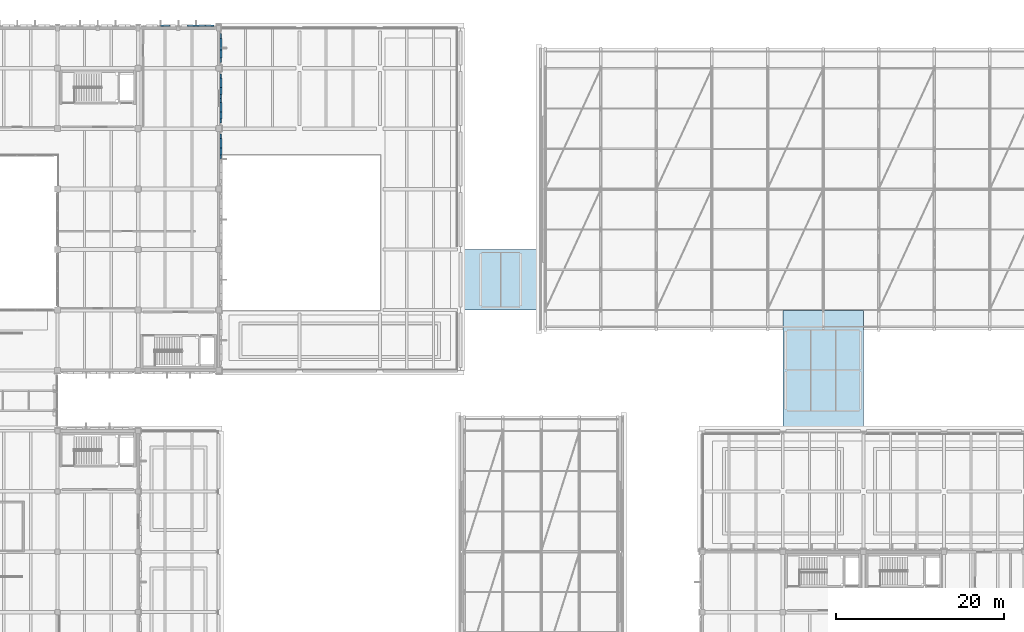
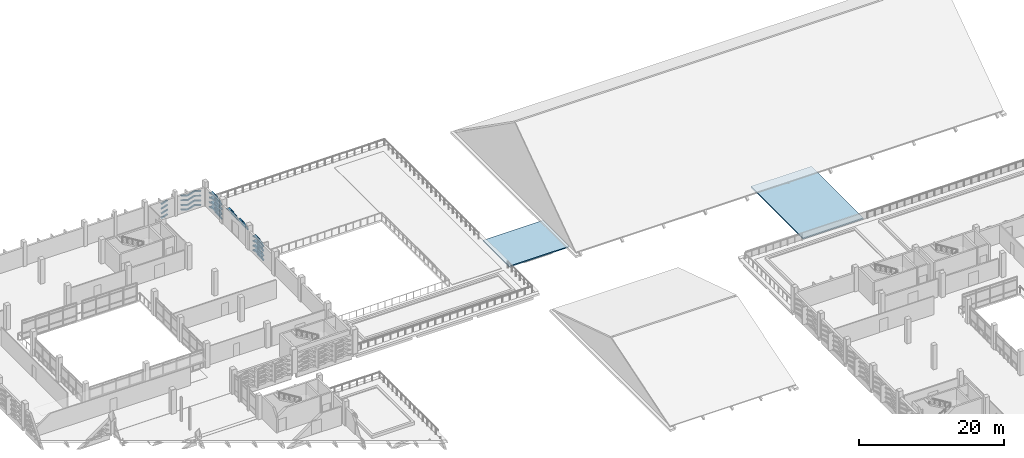
# One storey, part 102 of 134: 56 plates, 2 slabs.
"""IFC4 building model written with IfcOpenShell, lengths in metres."""

from ifc_helpers import new_model, si_unit, direction, frame, origin, origin_2d, place, context, subcontext, project, spatial, polyline, rectangle, hollow_rectangle, outline, extrude, material, layer, layer_set, material_profile, profile_set, type_object, element, save


model = new_model("IFC4")

# Units and contexts
model_context = context("Model", 3, precision=1e-05, world=origin(), true_north=direction((0.0, 1.0)))
body_context = subcontext(model_context, "Body", "Model", "MODEL_VIEW")
ifc_project = project(units=[si_unit("LENGTHUNIT", "METRE"), si_unit("AREAUNIT", "SQUARE_METRE"), si_unit("VOLUMEUNIT", "CUBIC_METRE"), si_unit("PLANEANGLEUNIT", "RADIAN"), si_unit("MASSUNIT", "GRAM", prefix="KILO")], contexts=[model_context])

# Site, building, storey
site_placement = place(None, origin())
site = spatial("IfcSite", under=ifc_project, at=site_placement, CompositionType="ELEMENT")
building_placement = place(site_placement, origin())
building = spatial("IfcBuilding", under=site, at=building_placement, Name="Asteropetra Specialist Clinic", CompositionType="ELEMENT")
storey_placement = place(building_placement, frame((0.0, 0.0, 8.5)))
storey = spatial("IfcBuildingStorey", under=building, at=storey_placement, Name="L02", CompositionType="ELEMENT", Elevation=8.5)

# Plates
ifc_material_1 = material(Name="Chevron emerald aluminium 6063-T6", Category="aluminium")
ifc_material_profile = material_profile(ifc_material_1, hollow_rectangle(XDim=0.199951171875, YDim=0.199951171875, WallThickness=0.010009765625, InnerFilletRadius=0.008056640625, OuterFilletRadius=0.01611328125, at=origin_2d()), Name="SHS 200x200x10.0")
ifc_profile_set = profile_set([ifc_material_profile], Name="Chevron emerald aluminium 6063-T6")
plate_type_1 = type_object("IfcPlateType", Name="CHV-RIB-200", PredefinedType="SHEET", material=ifc_profile_set)
plate_1_placement = place(storey_placement, frame((47.409912109375, 110.64208984375, 0.050048828125), z_axis=(-0.952077507958, 0.0, 0.305856860052), x_axis=(0.0, -1.0, 0.0)))
element("IfcPlate", 1, at=plate_1_placement, inside=storey, type_object=plate_type_1, Name="Chevron Facade Screen Fin CVR-1003", PredefinedType="SHEET", context=body_context, shape_type="SweptSolid", body=[
    extrude(hollow_rectangle(XDim=0.199951171875, YDim=0.199951171875, WallThickness=0.010009765625, InnerFilletRadius=0.008056640625, OuterFilletRadius=0.01611328125, at=origin_2d()), origin(), (0.0, 0.0, 1.0), 1.089599609375),
])
plate_2_placement = place(storey_placement, frame((46.37255859375, 110.64208984375, 0.38330078125), z_axis=(-0.952098462736, 0.0, -0.305791623914), x_axis=(0.0, -1.0, 0.0)))
element("IfcPlate", 2, at=plate_2_placement, inside=storey, type_object=plate_type_1, Name="Chevron Facade Screen Fin CVR-1004", PredefinedType="SHEET", context=body_context, shape_type="SweptSolid", body=[
    extrude(hollow_rectangle(XDim=0.199951171875, YDim=0.199951171875, WallThickness=0.010009765625, InnerFilletRadius=0.008056640625, OuterFilletRadius=0.01611328125, at=origin_2d()), origin(), (0.0, 0.0, 1.0), 1.08984375),
])
plate_3_placement = place(storey_placement, frame((47.409912109375, 110.64208984375, 0.820068359375), z_axis=(-0.952077507958, 0.0, 0.305856860052), x_axis=(0.0, -1.0, 0.0)))
element("IfcPlate", 3, at=plate_3_placement, inside=storey, type_object=plate_type_1, Name="Chevron Facade Screen Fin CVR-1005", PredefinedType="SHEET", context=body_context, shape_type="SweptSolid", body=[
    extrude(hollow_rectangle(XDim=0.199951171875, YDim=0.199951171875, WallThickness=0.010009765625, InnerFilletRadius=0.008056640625, OuterFilletRadius=0.01611328125, at=origin_2d()), origin(), (0.0, 0.0, 1.0), 1.089599609375),
])
plate_4_placement = place(storey_placement, frame((46.37255859375, 110.64208984375, 1.1533203125), z_axis=(-0.952098462736, 0.0, -0.305791623914), x_axis=(0.0, -1.0, 0.0)))
element("IfcPlate", 4, at=plate_4_placement, inside=storey, type_object=plate_type_1, Name="Chevron Facade Screen Fin CVR-1006", PredefinedType="SHEET", context=body_context, shape_type="SweptSolid", body=[
    extrude(hollow_rectangle(XDim=0.199951171875, YDim=0.199951171875, WallThickness=0.010009765625, InnerFilletRadius=0.008056640625, OuterFilletRadius=0.01611328125, at=origin_2d()), origin(), (0.0, 0.0, 1.0), 1.08984375),
])
plate_5_placement = place(storey_placement, frame((47.409912109375, 110.64208984375, 1.6201171875), z_axis=(-0.952077507958, 0.0, 0.305856860052), x_axis=(0.0, -1.0, 0.0)))
element("IfcPlate", 5, at=plate_5_placement, inside=storey, type_object=plate_type_1, Name="Chevron Facade Screen Fin CVR-1007", PredefinedType="SHEET", context=body_context, shape_type="SweptSolid", body=[
    extrude(hollow_rectangle(XDim=0.199951171875, YDim=0.199951171875, WallThickness=0.010009765625, InnerFilletRadius=0.008056640625, OuterFilletRadius=0.01611328125, at=origin_2d()), origin(), (0.0, 0.0, 1.0), 1.089599609375),
])
plate_6_placement = place(storey_placement, frame((46.37255859375, 110.64208984375, 1.953369140625), z_axis=(-0.952098462736, 0.0, -0.305791623914), x_axis=(0.0, -1.0, 0.0)))
element("IfcPlate", 6, at=plate_6_placement, inside=storey, type_object=plate_type_1, Name="Chevron Facade Screen Fin CVR-1008", PredefinedType="SHEET", context=body_context, shape_type="SweptSolid", body=[
    extrude(hollow_rectangle(XDim=0.199951171875, YDim=0.199951171875, WallThickness=0.010009765625, InnerFilletRadius=0.008056640625, OuterFilletRadius=0.01611328125, at=origin_2d()), origin(), (0.0, 0.0, 1.0), 1.08984375),
])
plate_7_placement = place(storey_placement, frame((47.409912109375, 110.64208984375, 2.39990234375), z_axis=(-0.952012241431, 0.0, 0.306059948646), x_axis=(0.0, -1.0, 0.0)))
element("IfcPlate", 7, at=plate_7_placement, inside=storey, type_object=plate_type_1, Name="Chevron Facade Screen Fin CVR-1009", PredefinedType="SHEET", context=body_context, shape_type="SweptSolid", body=[
    extrude(hollow_rectangle(XDim=0.199951171875, YDim=0.199951171875, WallThickness=0.010009765625, InnerFilletRadius=0.008056640625, OuterFilletRadius=0.01611328125, at=origin_2d()), origin(), (0.0, 0.0, 1.0), 1.089599609375),
])
plate_8_placement = place(storey_placement, frame((46.37255859375, 110.64208984375, 2.7333984375), z_axis=(-0.952033222609, 0.0, -0.305994678137), x_axis=(0.0, -1.0, 0.0)))
element("IfcPlate", 8, at=plate_8_placement, inside=storey, type_object=plate_type_1, Name="Chevron Facade Screen Fin CVR-1010", PredefinedType="SHEET", context=body_context, shape_type="SweptSolid", body=[
    extrude(hollow_rectangle(XDim=0.199951171875, YDim=0.199951171875, WallThickness=0.010009765625, InnerFilletRadius=0.008056640625, OuterFilletRadius=0.01611328125, at=origin_2d()), origin(), (0.0, 0.0, 1.0), 1.08984375),
])
for number, where, z_axis, x_axis, name in (
    (9, (45.294921875, 110.64208984375, 0.050048828125), (-0.952077507958, 0.0, 0.305856860052), (0.0, -1.0, 0.0), "Chevron Facade Screen Fin CVR-1011"),
    (10, (45.294921875, 110.64208984375, 0.820068359375), (-0.952077507958, 0.0, 0.305856860052), (0.0, -1.0, 0.0), "Chevron Facade Screen Fin CVR-1012"),
    (11, (45.294921875, 110.64208984375, 1.6201171875), (-0.952077507958, 0.0, 0.305856860052), (0.0, -1.0, 0.0), "Chevron Facade Screen Fin CVR-1013"),
    (12, (45.294921875, 110.64208984375, 2.39990234375), (-0.952012241431, 0.0, 0.306059948646), (0.0, -1.0, 0.0), "Chevron Facade Screen Fin CVR-1014"),
):
    element("IfcPlate", number, at=place(storey_placement, frame(where, z_axis=z_axis, x_axis=x_axis)), inside=storey, type_object=plate_type_1, Name=name, PredefinedType="SHEET", context=body_context, shape_type="SweptSolid", body=[
        extrude(hollow_rectangle(XDim=0.199951171875, YDim=0.199951171875, WallThickness=0.010009765625, InnerFilletRadius=0.008056640625, OuterFilletRadius=0.01611328125, at=origin_2d()), origin(), (0.0, 0.0, 1.0), 1.089599609375),
    ])
for number, where, z_axis, x_axis, name in (
    (13, (42.142578125, 110.64208984375, 0.38330078125), (-0.952098462736, 0.0, -0.305791623914), (0.0, -1.0, 0.0), "Chevron Facade Screen Fin CVR-1015"),
    (14, (42.142578125, 110.64208984375, 1.1533203125), (-0.952098462736, 0.0, -0.305791623914), (0.0, -1.0, 0.0), "Chevron Facade Screen Fin CVR-1016"),
    (15, (42.142578125, 110.64208984375, 1.953369140625), (-0.952098462736, 0.0, -0.305791623914), (0.0, -1.0, 0.0), "Chevron Facade Screen Fin CVR-1017"),
    (16, (42.142578125, 110.64208984375, 2.7333984375), (-0.952033222609, 0.0, -0.305994678137), (0.0, -1.0, 0.0), "Chevron Facade Screen Fin CVR-1018"),
):
    element("IfcPlate", number, at=place(storey_placement, frame(where, z_axis=z_axis, x_axis=x_axis)), inside=storey, type_object=plate_type_1, Name=name, PredefinedType="SHEET", context=body_context, shape_type="SweptSolid", body=[
        extrude(hollow_rectangle(XDim=0.199951171875, YDim=0.199951171875, WallThickness=0.010009765625, InnerFilletRadius=0.008056640625, OuterFilletRadius=0.01611328125, at=origin_2d()), origin(), (0.0, 0.0, 1.0), 1.08984375),
    ])
plate_9_placement = place(storey_placement, frame((48.241943359375, 94.820068359375, 0.050048828125), z_axis=(0.0, 0.952506339897, 0.304518755506), x_axis=(-1.0, 0.0, 0.0)))
element("IfcPlate", 17, at=plate_9_placement, inside=storey, type_object=plate_type_1, Name="Chevron Facade Screen Fin CVR-1147", PredefinedType="SHEET", context=body_context, shape_type="SweptSolid", body=[
    extrude(hollow_rectangle(XDim=0.199951171875, YDim=0.199951171875, WallThickness=0.010009765625, InnerFilletRadius=0.008056640625, OuterFilletRadius=0.01611328125, at=origin_2d()), origin(), (0.0, 0.0, 1.0), 1.516845703125),
])
plate_10_placement = place(storey_placement, frame((48.241943359375, 96.264892578125, 0.511962890625), z_axis=(0.0, 0.952521261695, -0.304472077568), x_axis=(-1.0, 0.0, 0.0)))
element("IfcPlate", 18, at=plate_10_placement, inside=storey, type_object=plate_type_1, Name="Chevron Facade Screen Fin CVR-1148", PredefinedType="SHEET", context=body_context, shape_type="SweptSolid", body=[
    extrude(hollow_rectangle(XDim=0.199951171875, YDim=0.199951171875, WallThickness=0.010009765625, InnerFilletRadius=0.008056640625, OuterFilletRadius=0.01611328125, at=origin_2d()), origin(), (0.0, 0.0, 1.0), 1.51708984375),
])
plate_11_placement = place(storey_placement, frame((48.241943359375, 94.820068359375, 0.820068359375), z_axis=(0.0, 0.952506339897, 0.304518755506), x_axis=(-1.0, 0.0, 0.0)))
element("IfcPlate", 19, at=plate_11_placement, inside=storey, type_object=plate_type_1, Name="Chevron Facade Screen Fin CVR-1149", PredefinedType="SHEET", context=body_context, shape_type="SweptSolid", body=[
    extrude(hollow_rectangle(XDim=0.199951171875, YDim=0.199951171875, WallThickness=0.010009765625, InnerFilletRadius=0.008056640625, OuterFilletRadius=0.01611328125, at=origin_2d()), origin(), (0.0, 0.0, 1.0), 1.516845703125),
])
plate_12_placement = place(storey_placement, frame((48.241943359375, 96.264892578125, 1.281982421875), z_axis=(0.0, 0.952521261695, -0.304472077568), x_axis=(-1.0, 0.0, 0.0)))
element("IfcPlate", 20, at=plate_12_placement, inside=storey, type_object=plate_type_1, Name="Chevron Facade Screen Fin CVR-1150", PredefinedType="SHEET", context=body_context, shape_type="SweptSolid", body=[
    extrude(hollow_rectangle(XDim=0.199951171875, YDim=0.199951171875, WallThickness=0.010009765625, InnerFilletRadius=0.008056640625, OuterFilletRadius=0.01611328125, at=origin_2d()), origin(), (0.0, 0.0, 1.0), 1.51708984375),
])
plate_13_placement = place(storey_placement, frame((48.241943359375, 94.820068359375, 1.6201171875), z_axis=(0.0, 0.952553015719, 0.304372719284), x_axis=(-1.0, 0.0, 0.0)))
element("IfcPlate", 21, at=plate_13_placement, inside=storey, type_object=plate_type_1, Name="Chevron Facade Screen Fin CVR-1151", PredefinedType="SHEET", context=body_context, shape_type="SweptSolid", body=[
    extrude(hollow_rectangle(XDim=0.199951171875, YDim=0.199951171875, WallThickness=0.010009765625, InnerFilletRadius=0.008056640625, OuterFilletRadius=0.01611328125, at=origin_2d()), origin(), (0.0, 0.0, 1.0), 1.516845703125),
])
plate_14_placement = place(storey_placement, frame((48.241943359375, 96.264892578125, 2.081787109375), z_axis=(0.0, 0.952567923938, -0.30432605916), x_axis=(-1.0, 0.0, 0.0)))
element("IfcPlate", 22, at=plate_14_placement, inside=storey, type_object=plate_type_1, Name="Chevron Facade Screen Fin CVR-1152", PredefinedType="SHEET", context=body_context, shape_type="SweptSolid", body=[
    extrude(hollow_rectangle(XDim=0.199951171875, YDim=0.199951171875, WallThickness=0.010009765625, InnerFilletRadius=0.008056640625, OuterFilletRadius=0.01611328125, at=origin_2d()), origin(), (0.0, 0.0, 1.0), 1.51708984375),
])
plate_15_placement = place(storey_placement, frame((48.241943359375, 94.820068359375, 2.39990234375), z_axis=(0.0, 0.952506339897, 0.304518755506), x_axis=(-1.0, 0.0, 0.0)))
element("IfcPlate", 23, at=plate_15_placement, inside=storey, type_object=plate_type_1, Name="Chevron Facade Screen Fin CVR-1153", PredefinedType="SHEET", context=body_context, shape_type="SweptSolid", body=[
    extrude(hollow_rectangle(XDim=0.199951171875, YDim=0.199951171875, WallThickness=0.010009765625, InnerFilletRadius=0.008056640625, OuterFilletRadius=0.01611328125, at=origin_2d()), origin(), (0.0, 0.0, 1.0), 1.516845703125),
])
plate_16_placement = place(storey_placement, frame((48.241943359375, 96.264892578125, 2.86181640625), z_axis=(0.0, 0.952521261695, -0.304472077568), x_axis=(-1.0, 0.0, 0.0)))
element("IfcPlate", 24, at=plate_16_placement, inside=storey, type_object=plate_type_1, Name="Chevron Facade Screen Fin CVR-1154", PredefinedType="SHEET", context=body_context, shape_type="SweptSolid", body=[
    extrude(hollow_rectangle(XDim=0.199951171875, YDim=0.199951171875, WallThickness=0.010009765625, InnerFilletRadius=0.008056640625, OuterFilletRadius=0.01611328125, at=origin_2d()), origin(), (0.0, 0.0, 1.0), 1.51708984375),
])
plate_17_placement = place(storey_placement, frame((48.241943359375, 99.090087890625, 2.6201171875), z_axis=(0.0, 0.962031447202, 0.27293862789), x_axis=(-1.0, 0.0, 0.0)))
element("IfcPlate", 25, at=plate_17_placement, inside=storey, type_object=plate_type_1, Name="Chevron Facade Screen Fin CVR-1171", PredefinedType="SHEET", context=body_context, shape_type="SweptSolid", body=[
    extrude(hollow_rectangle(XDim=0.199951171875, YDim=0.199951171875, WallThickness=0.010009765625, InnerFilletRadius=0.008056640625, OuterFilletRadius=0.01611328125, at=origin_2d()), origin(), (0.0, 0.0, 1.0), 1.501953125),
])
for number, where, z_axis, x_axis, name in (
    (26, (48.241943359375, 100.534912109375, 3.030029296875), (0.0, 0.962043554367, -0.272895949955), (-1.0, 0.0, 0.0), "Chevron Facade Screen Fin CVR-1172"),
    (27, (48.241943359375, 102.02001953125, 2.6201171875), (0.0, 0.962043554367, 0.272895949955), (-1.0, 0.0, 0.0), "Chevron Facade Screen Fin CVR-1173"),
):
    element("IfcPlate", number, at=place(storey_placement, frame(where, z_axis=z_axis, x_axis=x_axis)), inside=storey, type_object=plate_type_1, Name=name, PredefinedType="SHEET", context=body_context, shape_type="SweptSolid", body=[
        extrude(hollow_rectangle(XDim=0.199951171875, YDim=0.199951171875, WallThickness=0.010009765625, InnerFilletRadius=0.008056640625, OuterFilletRadius=0.01611328125, at=origin_2d()), origin(), (0.0, 0.0, 1.0), 1.502197265625),
    ])
plate_18_placement = place(storey_placement, frame((48.241943359375, 103.465087890625, 3.030029296875), z_axis=(0.0, 0.962031447202, -0.27293862789), x_axis=(-1.0, 0.0, 0.0)))
element("IfcPlate", 28, at=plate_18_placement, inside=storey, type_object=plate_type_1, Name="Chevron Facade Screen Fin CVR-1174", PredefinedType="SHEET", context=body_context, shape_type="SweptSolid", body=[
    extrude(hollow_rectangle(XDim=0.199951171875, YDim=0.199951171875, WallThickness=0.010009765625, InnerFilletRadius=0.008056640625, OuterFilletRadius=0.01611328125, at=origin_2d()), origin(), (0.0, 0.0, 1.0), 1.501953125),
])
for number, where, z_axis, x_axis, name in (
    (29, (48.241943359375, 106.2900390625, 0.050048828125), (0.0, 0.952711170265, 0.303877320727), (-1.0, 0.0, 0.0), "Chevron Facade Screen Fin CVR-1183"),
    (30, (48.241943359375, 108.0, 0.595458984375), (0.0, 0.952711170265, -0.303877320727), (-1.0, 0.0, 0.0), "Chevron Facade Screen Fin CVR-1184"),
    (31, (48.241943359375, 106.2900390625, 0.820068359375), (0.0, 0.952711170265, 0.303877320727), (-1.0, 0.0, 0.0), "Chevron Facade Screen Fin CVR-1185"),
    (32, (48.241943359375, 108.0, 1.365478515625), (0.0, 0.952711170265, -0.303877320727), (-1.0, 0.0, 0.0), "Chevron Facade Screen Fin CVR-1186"),
    (33, (48.241943359375, 106.2900390625, 1.6201171875), (0.0, 0.952711170265, 0.303877320727), (-1.0, 0.0, 0.0), "Chevron Facade Screen Fin CVR-1187"),
    (34, (48.241943359375, 108.0, 2.16552734375), (0.0, 0.952711170265, -0.303877320727), (-1.0, 0.0, 0.0), "Chevron Facade Screen Fin CVR-1188"),
    (35, (48.241943359375, 106.2900390625, 2.39990234375), (0.0, 0.952671783989, 0.304000776301), (-1.0, 0.0, 0.0), "Chevron Facade Screen Fin CVR-1189"),
    (36, (48.241943359375, 108.0, 2.945556640625), (0.0, 0.952671783989, -0.304000776301), (-1.0, 0.0, 0.0), "Chevron Facade Screen Fin CVR-1190"),
):
    element("IfcPlate", number, at=place(storey_placement, frame(where, z_axis=z_axis, x_axis=x_axis)), inside=storey, type_object=plate_type_1, Name=name, PredefinedType="SHEET", context=body_context, shape_type="SweptSolid", body=[
        extrude(hollow_rectangle(XDim=0.199951171875, YDim=0.199951171875, WallThickness=0.010009765625, InnerFilletRadius=0.008056640625, OuterFilletRadius=0.01611328125, at=origin_2d()), origin(), (0.0, 0.0, 1.0), 1.794921875),
    ])
ifc_material_2 = material(Name="Aluminium 6063-T6", Category="aluminium")
ifc_layer_1 = layer(ifc_material_2, 0.139892578125)
ifc_layer_set_1 = layer_set([ifc_layer_1], Name="Aluminium 6063-T6")
plate_type_2 = type_object("IfcPlateType", Name="PLT-CHV-TILE", PredefinedType="SHEET", material=ifc_layer_set_1)
for number, where, z_axis, x_axis, name in (
    (37, (48.280029296875, 95.8603515625, 0.03857421875), (0.0, 0.0, 1.0), (1.0, 0.0, 0.0), "Chevron Ceramic Panel CPT-0817"),
    (38, (48.280029296875, 96.669677734375, 0.2138671875), (0.0, 0.0, 1.0), (1.0, 0.0, 0.0), "Chevron Ceramic Panel CPT-0818"),
    (39, (48.280029296875, 95.8603515625, 0.80859375), (0.0, 0.0, 1.0), (1.0, 0.0, 0.0), "Chevron Ceramic Panel CPT-0819"),
    (40, (48.280029296875, 96.669677734375, 0.98388671875), (0.0, 0.0, 1.0), (1.0, 0.0, 0.0), "Chevron Ceramic Panel CPT-0820"),
    (41, (48.280029296875, 95.8603515625, 1.6083984375), (0.0, 0.0, 1.0), (1.0, 0.0, 0.0), "Chevron Ceramic Panel CPT-0821"),
    (42, (48.280029296875, 96.669677734375, 1.7841796875), (0.0, 0.0, 1.0), (1.0, 0.0, 0.0), "Chevron Ceramic Panel CPT-0822"),
    (43, (48.280029296875, 95.8603515625, 2.388671875), (0.0, 0.0, 1.0), (1.0, 0.0, 0.0), "Chevron Ceramic Panel CPT-0823"),
    (44, (48.280029296875, 96.669677734375, 2.56396484375), (0.0, 0.0, 1.0), (1.0, 0.0, 0.0), "Chevron Ceramic Panel CPT-0824"),
    (45, (48.280029296875, 100.13037109375, 2.5927734375), (0.0, 0.0, 1.0), (1.0, 0.0, 0.0), "Chevron Ceramic Panel CPT-0841"),
    (46, (48.280029296875, 100.939697265625, 2.74853515625), (0.0, 0.0, 1.0), (1.0, 0.0, 0.0), "Chevron Ceramic Panel CPT-0842"),
    (47, (48.280029296875, 103.060302734375, 2.5927734375), (0.0, 0.0, 1.0), (1.0, 0.0, 0.0), "Chevron Ceramic Panel CPT-0843"),
    (48, (48.280029296875, 103.86962890625, 2.74853515625), (0.0, 0.0, 1.0), (1.0, 0.0, 0.0), "Chevron Ceramic Panel CPT-0844"),
):
    element("IfcPlate", number, at=place(storey_placement, frame(where, z_axis=z_axis, x_axis=x_axis)), inside=storey, type_object=plate_type_2, Name=name, PredefinedType="SHEET", context=body_context, shape_type="SweptSolid", body=[
        extrude(rectangle(XDim=0.280029296875, YDim=1.156005859375, at=origin_2d()), origin(), (0.0, 0.0, 1.0), 0.300048828125),
    ])
for number, where, z_axis, x_axis, name in (
    (49, (48.280029296875, 107.521240234375, 0.0634765625), (0.0, 0.0, 1.0), (1.0, 0.0, 0.0), "Chevron Ceramic Panel CPT-0853"),
    (50, (48.280029296875, 108.478759765625, 0.27099609375), (0.0, 0.0, 1.0), (1.0, 0.0, 0.0), "Chevron Ceramic Panel CPT-0854"),
    (51, (48.280029296875, 107.521240234375, 0.83349609375), (0.0, 0.0, 1.0), (1.0, 0.0, 0.0), "Chevron Ceramic Panel CPT-0855"),
    (52, (48.280029296875, 108.478759765625, 1.041015625), (0.0, 0.0, 1.0), (1.0, 0.0, 0.0), "Chevron Ceramic Panel CPT-0856"),
    (53, (48.280029296875, 107.521240234375, 1.6337890625), (0.0, 0.0, 1.0), (1.0, 0.0, 0.0), "Chevron Ceramic Panel CPT-0857"),
    (54, (48.280029296875, 108.478759765625, 1.8408203125), (0.0, 0.0, 1.0), (1.0, 0.0, 0.0), "Chevron Ceramic Panel CPT-0858"),
    (55, (48.280029296875, 107.521240234375, 2.41357421875), (0.0, 0.0, 1.0), (1.0, 0.0, 0.0), "Chevron Ceramic Panel CPT-0859"),
    (56, (48.280029296875, 108.478759765625, 2.62109375), (0.0, 0.0, 1.0), (1.0, 0.0, 0.0), "Chevron Ceramic Panel CPT-0860"),
):
    element("IfcPlate", number, at=place(storey_placement, frame(where, z_axis=z_axis, x_axis=x_axis)), inside=storey, type_object=plate_type_2, Name=name, PredefinedType="SHEET", context=body_context, shape_type="SweptSolid", body=[
        extrude(rectangle(XDim=0.280029296875, YDim=1.367919921875, at=origin_2d()), origin(), (0.0, 0.0, 1.0), 0.300048828125),
    ])

# Slabs
ifc_material_3 = material(Name="Concrete C35/45", Category="concrete")
ifc_layer_2 = layer(ifc_material_3, 0.18994140625)
ifc_layer_set_2 = layer_set([ifc_layer_2], Name="Concrete C35/45")
slab_type = type_object("IfcSlabType", Name="SLB-ROOF-190", PredefinedType="ROOF", material=ifc_layer_set_2)
slab_1_placement = place(storey_placement, frame((0.0, 0.0, -0.18994140625)))
element("IfcSlab", 57, at=slab_1_placement, inside=storey, type_object=slab_type, Name="Slab LP3-ROOF L02", PredefinedType="ROOF", context=body_context, shape_type="SweptSolid", body=[
    extrude(outline(polyline([(76.840087890625, 76.800048828125), (86.360107421875, 76.800048828125), (86.360107421875, 84.0), (76.840087890625, 84.0), (76.840087890625, 76.800048828125)])), origin(), (0.0, 0.0, 1.0), 0.18994140625),
])
slab_2_placement = place(storey_placement, frame((0.0, 0.0, -0.18994140625)))
element("IfcSlab", 58, at=slab_2_placement, inside=storey, type_object=slab_type, Name="Slab LP5-ROOF L02", PredefinedType="ROOF", context=body_context, shape_type="SweptSolid", body=[
    extrude(outline(polyline([(115.199951171875, 62.43994140625), (124.800048828125, 62.43994140625), (124.800048828125, 76.760009765625), (115.199951171875, 76.760009765625), (115.199951171875, 62.43994140625)])), origin(), (0.0, 0.0, 1.0), 0.18994140625),
])

save(model, "model.ifc")
